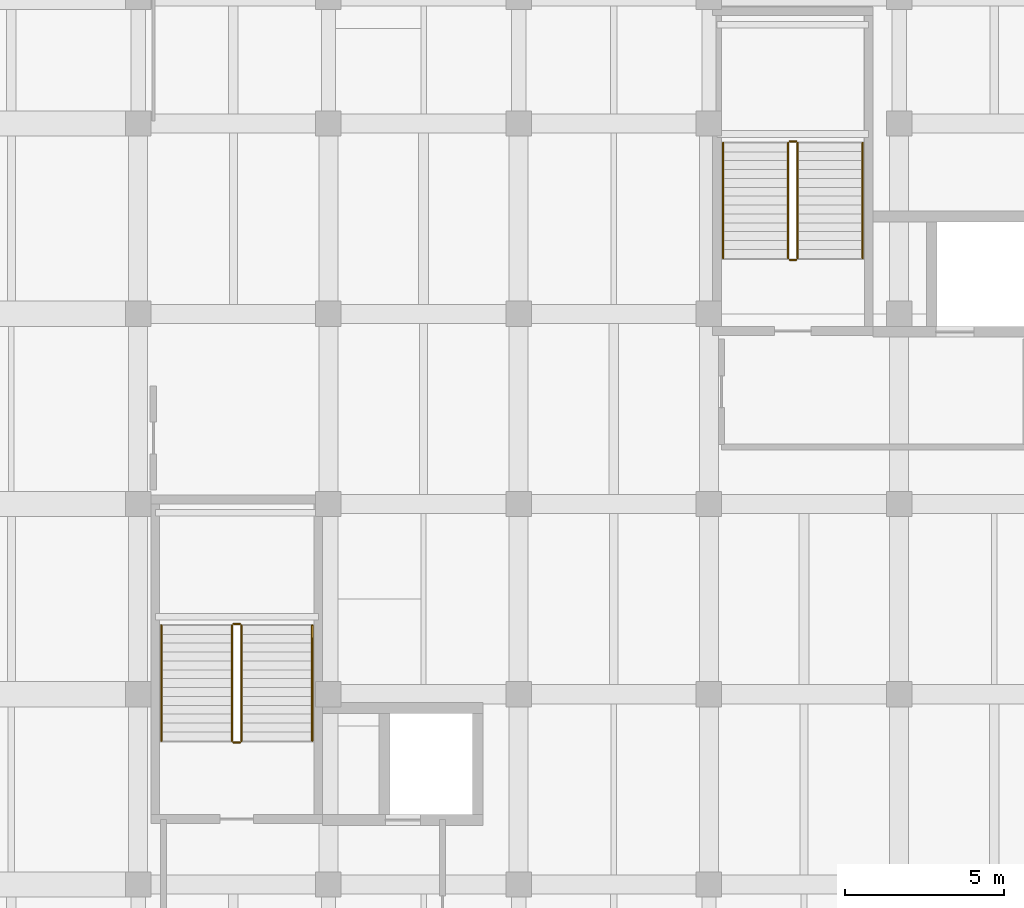
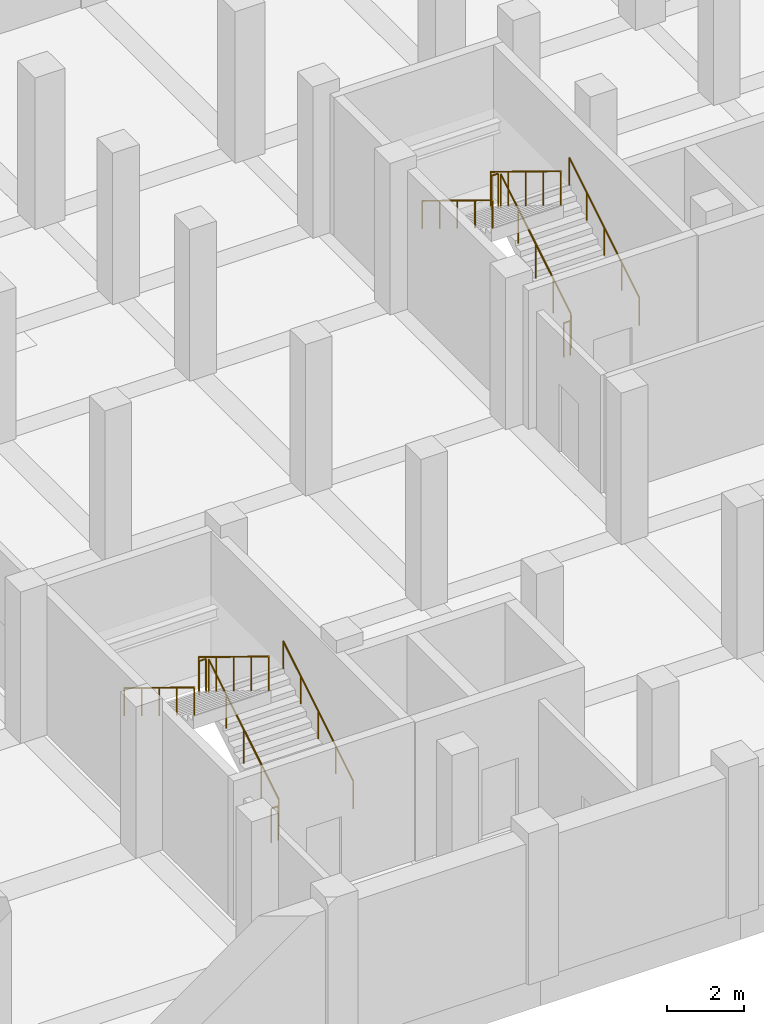
# One storey, part 36 of 36: 12 railings.
"""IFC4 building model written with IfcOpenShell, lengths in metres."""

from ifc_helpers import new_model, si_unit, direction, frame, origin, origin_2d, place, context, subcontext, project, spatial, circle, extrude, material, type_object, element, save


model = new_model("IFC4")

# Units and contexts
model_context = context("Model", 3, precision=1e-05, world=origin(), true_north=direction((0.0, 1.0)))
body_context = subcontext(model_context, "Body", "Model", "MODEL_VIEW")
ifc_project = project(units=[si_unit("LENGTHUNIT", "METRE"), si_unit("AREAUNIT", "SQUARE_METRE"), si_unit("VOLUMEUNIT", "CUBIC_METRE"), si_unit("PLANEANGLEUNIT", "RADIAN"), si_unit("MASSUNIT", "GRAM", prefix="KILO")], contexts=[model_context])

# Site, building, storey
site_placement = place(None, origin())
site = spatial("IfcSite", under=ifc_project, at=site_placement, CompositionType="ELEMENT")
building_placement = place(site_placement, origin())
building = spatial("IfcBuilding", under=site, at=building_placement, Name="Verrall Gate Interchange", CompositionType="ELEMENT")
storey_placement = place(building_placement, frame((0.0, 0.0, -4.800048828125)))
storey = spatial("IfcBuildingStorey", under=building, at=storey_placement, Name="B1", CompositionType="ELEMENT", Elevation=-4.800048828125)

# Railings
ifc_material_1 = material(Name="Brushed Stainless-Steel Guardrail and Handrail System", Category="steel")
railing_type_1 = type_object("IfcRailingType", Name="GR-02 Interior Atrium and Stair Guardrail 1100", PredefinedType="GUARDRAIL", material=ifc_material_1)
railing_1_placement = place(storey_placement, frame((135.260009765625, 20.530029296875, 0.17138671875)))
element("IfcRailing", 1, at=railing_1_placement, inside=storey, type_object=railing_type_1, Name="B1 ST-08 stair guard 1", PredefinedType="GUARDRAIL", context=body_context, shape_type="SweptSolid", body=[
    extrude(circle(Radius=0.02392578125, at=origin_2d()), frame((0.0, 0.0, 1.076171875), z_axis=(0.0, 0.852824790078, 0.522197163366), x_axis=(-1.0, 0.0, 0.0)), (0.0, 0.0, 1.0), 4.26806640625),
    extrude(circle(Radius=0.02099609375, at=origin_2d()), origin(), (0.0, 0.0, 1.0), 1.052001953125),
    extrude(circle(Radius=0.02099609375, at=origin_2d()), frame((0.0, 0.909912109375, 0.55712890625)), (0.0, 0.0, 1.0), 1.052001953125),
    extrude(circle(Radius=0.02099609375, at=origin_2d()), frame((0.0, 1.81982421875, 1.1142578125)), (0.0, 0.0, 1.0), 1.052001953125),
    extrude(circle(Radius=0.02099609375, at=origin_2d()), frame((0.0, 2.72998046875, 1.671630859375)), (0.0, 0.0, 1.0), 1.052001953125),
    extrude(circle(Radius=0.02099609375, at=origin_2d()), frame((0.0, 3.639892578125, 2.228759765625)), (0.0, 0.0, 1.0), 1.052001953125),
])
railing_2_placement = place(storey_placement, frame((135.2099609375, 24.219970703125, 2.400146484375)))
element("IfcRailing", 2, at=railing_2_placement, inside=storey, type_object=railing_type_1, Name="B1 ST-08 stair guard 2", PredefinedType="GUARDRAIL", context=body_context, shape_type="SweptSolid", body=[
    extrude(circle(Radius=0.02392578125, at=origin_2d()), frame((0.0, 0.0, 1.076171875), z_axis=(-1.0, 0.0, 0.0), x_axis=(0.0, -1.0, 0.0)), (0.0, 0.0, 1.0), 0.199951171875),
    extrude(circle(Radius=0.02099609375, at=origin_2d()), origin(), (0.0, 0.0, 1.0), 1.052001953125),
    extrude(circle(Radius=0.02099609375, at=origin_2d()), frame((-0.199951171875, 0.0, 0.0)), (0.0, 0.0, 1.0), 1.052001953125),
])
railing_3_placement = place(storey_placement, frame((134.9599609375, 24.169921875, 2.571533203125)))
element("IfcRailing", 3, at=railing_3_placement, inside=storey, type_object=railing_type_1, Name="B1 ST-08 stair guard 3", PredefinedType="GUARDRAIL", context=body_context, shape_type="SweptSolid", body=[
    extrude(circle(Radius=0.02392578125, at=origin_2d()), frame((0.0, 0.0, 1.076171875), z_axis=(0.0, -0.852850264322, 0.5221555579), x_axis=(1.0, 0.0, 0.0)), (0.0, 0.0, 1.0), 4.267822265625),
    extrude(circle(Radius=0.02099609375, at=origin_2d()), origin(), (0.0, 0.0, 1.0), 1.052001953125),
    extrude(circle(Radius=0.02099609375, at=origin_2d()), frame((0.0, -0.909912109375, 0.55712890625)), (0.0, 0.0, 1.0), 1.052001953125),
    extrude(circle(Radius=0.02099609375, at=origin_2d()), frame((0.0, -1.81982421875, 1.1142578125)), (0.0, 0.0, 1.0), 1.052001953125),
    extrude(circle(Radius=0.02099609375, at=origin_2d()), frame((0.0, -2.72998046875, 1.67138671875)), (0.0, 0.0, 1.0), 1.052001953125),
    extrude(circle(Radius=0.02099609375, at=origin_2d()), frame((0.0, -3.639892578125, 2.228515625)), (0.0, 0.0, 1.0), 1.052001953125),
])
railing_4_placement = place(storey_placement, frame((135.2099609375, 20.47998046875, 0.0)))
element("IfcRailing", 4, at=railing_4_placement, inside=storey, type_object=railing_type_1, Name="B1 ST-08 stair guard 4", PredefinedType="GUARDRAIL", context=body_context, shape_type="SweptSolid", body=[
    extrude(circle(Radius=0.02392578125, at=origin_2d()), frame((0.0, 0.0, 1.076171875), z_axis=(-1.0, 0.0, 0.0), x_axis=(0.0, -1.0, 0.0)), (0.0, 0.0, 1.0), 0.199951171875),
    extrude(circle(Radius=0.02099609375, at=origin_2d()), origin(), (0.0, 0.0, 1.0), 1.052001953125),
    extrude(circle(Radius=0.02099609375, at=origin_2d()), frame((-0.199951171875, 0.0, 0.0)), (0.0, 0.0, 1.0), 1.052001953125),
])
railing_5_placement = place(storey_placement, frame((152.800048828125, 35.75, 0.17138671875)))
element("IfcRailing", 5, at=railing_5_placement, inside=storey, type_object=railing_type_1, Name="B1 ST-09 stair guard 1", PredefinedType="GUARDRAIL", context=body_context, shape_type="SweptSolid", body=[
    extrude(circle(Radius=0.02392578125, at=origin_2d()), frame((0.0, 0.0, 1.076171875), z_axis=(0.0, 0.852824790078, 0.522197163366), x_axis=(-1.0, 0.0, 0.0)), (0.0, 0.0, 1.0), 4.26806640625),
    extrude(circle(Radius=0.02099609375, at=origin_2d()), origin(), (0.0, 0.0, 1.0), 1.052001953125),
    extrude(circle(Radius=0.02099609375, at=origin_2d()), frame((0.0, 0.909912109375, 0.55712890625)), (0.0, 0.0, 1.0), 1.052001953125),
    extrude(circle(Radius=0.02099609375, at=origin_2d()), frame((0.0, 1.81982421875, 1.1142578125)), (0.0, 0.0, 1.0), 1.052001953125),
    extrude(circle(Radius=0.02099609375, at=origin_2d()), frame((0.0, 2.72998046875, 1.671630859375)), (0.0, 0.0, 1.0), 1.052001953125),
    extrude(circle(Radius=0.02099609375, at=origin_2d()), frame((0.0, 3.639892578125, 2.228759765625)), (0.0, 0.0, 1.0), 1.052001953125),
])
railing_6_placement = place(storey_placement, frame((152.75, 39.43994140625, 2.400146484375)))
element("IfcRailing", 6, at=railing_6_placement, inside=storey, type_object=railing_type_1, Name="B1 ST-09 stair guard 2", PredefinedType="GUARDRAIL", context=body_context, shape_type="SweptSolid", body=[
    extrude(circle(Radius=0.02392578125, at=origin_2d()), frame((0.0, 0.0, 1.076171875), z_axis=(-1.0, 0.0, 0.0), x_axis=(0.0, -1.0, 0.0)), (0.0, 0.0, 1.0), 0.199951171875),
    extrude(circle(Radius=0.02099609375, at=origin_2d()), origin(), (0.0, 0.0, 1.0), 1.052001953125),
    extrude(circle(Radius=0.02099609375, at=origin_2d()), frame((-0.199951171875, 0.0, 0.0)), (0.0, 0.0, 1.0), 1.052001953125),
])
railing_7_placement = place(storey_placement, frame((152.5, 39.389892578125, 2.571533203125)))
element("IfcRailing", 7, at=railing_7_placement, inside=storey, type_object=railing_type_1, Name="B1 ST-09 stair guard 3", PredefinedType="GUARDRAIL", context=body_context, shape_type="SweptSolid", body=[
    extrude(circle(Radius=0.02392578125, at=origin_2d()), frame((0.0, 0.0, 1.076171875), z_axis=(0.0, -0.852850264322, 0.5221555579), x_axis=(1.0, 0.0, 0.0)), (0.0, 0.0, 1.0), 4.267822265625),
    extrude(circle(Radius=0.02099609375, at=origin_2d()), origin(), (0.0, 0.0, 1.0), 1.052001953125),
    extrude(circle(Radius=0.02099609375, at=origin_2d()), frame((0.0, -0.909912109375, 0.55712890625)), (0.0, 0.0, 1.0), 1.052001953125),
    extrude(circle(Radius=0.02099609375, at=origin_2d()), frame((0.0, -1.81982421875, 1.1142578125)), (0.0, 0.0, 1.0), 1.052001953125),
    extrude(circle(Radius=0.02099609375, at=origin_2d()), frame((0.0, -2.72998046875, 1.67138671875)), (0.0, 0.0, 1.0), 1.052001953125),
    extrude(circle(Radius=0.02099609375, at=origin_2d()), frame((0.0, -3.639892578125, 2.228515625)), (0.0, 0.0, 1.0), 1.052001953125),
])
railing_8_placement = place(storey_placement, frame((152.75, 35.699951171875, 0.0)))
element("IfcRailing", 8, at=railing_8_placement, inside=storey, type_object=railing_type_1, Name="B1 ST-09 stair guard 4", PredefinedType="GUARDRAIL", context=body_context, shape_type="SweptSolid", body=[
    extrude(circle(Radius=0.02392578125, at=origin_2d()), frame((0.0, 0.0, 1.076171875), z_axis=(-1.0, 0.0, 0.0), x_axis=(0.0, -1.0, 0.0)), (0.0, 0.0, 1.0), 0.199951171875),
    extrude(circle(Radius=0.02099609375, at=origin_2d()), origin(), (0.0, 0.0, 1.0), 1.052001953125),
    extrude(circle(Radius=0.02099609375, at=origin_2d()), frame((-0.199951171875, 0.0, 0.0)), (0.0, 0.0, 1.0), 1.052001953125),
])
ifc_material_2 = material(Name="Brushed Stainless-Steel Guardrail and Handrail System", Category="steel")
railing_type_2 = type_object("IfcRailingType", Name="HR-01 Stair and Ramp Pitch-Line Handrail 920", PredefinedType="HANDRAIL", material=ifc_material_2)
railing_9_placement = place(storey_placement, frame((137.489990234375, 20.530029296875, 0.17138671875)))
element("IfcRailing", 9, at=railing_9_placement, inside=storey, type_object=railing_type_2, Name="B1 ST-08 stair handrail 1", PredefinedType="HANDRAIL", context=body_context, shape_type="SweptSolid", body=[
    extrude(circle(Radius=0.02392578125, at=origin_2d()), frame((0.0, 0.0, 0.8759765625), z_axis=(0.0, 0.852824790078, 0.522197163366), x_axis=(-1.0, 0.0, 0.0)), (0.0, 0.0, 1.0), 4.26806640625),
    extrude(circle(Radius=0.02099609375, at=origin_2d()), origin(), (0.0, 0.0, 1.0), 0.851806640625),
    extrude(circle(Radius=0.02099609375, at=origin_2d()), frame((0.0, 0.909912109375, 0.55712890625)), (0.0, 0.0, 1.0), 0.851806640625),
    extrude(circle(Radius=0.02099609375, at=origin_2d()), frame((0.0, 1.81982421875, 1.1142578125)), (0.0, 0.0, 1.0), 0.851806640625),
    extrude(circle(Radius=0.02099609375, at=origin_2d()), frame((0.0, 2.72998046875, 1.671630859375)), (0.0, 0.0, 1.0), 0.851806640625),
    extrude(circle(Radius=0.02099609375, at=origin_2d()), frame((0.0, 3.639892578125, 2.228759765625)), (0.0, 0.0, 1.0), 0.851806640625),
])
railing_10_placement = place(storey_placement, frame((132.72998046875, 24.169921875, 2.571533203125)))
element("IfcRailing", 10, at=railing_10_placement, inside=storey, type_object=railing_type_2, Name="B1 ST-08 stair handrail 2", PredefinedType="HANDRAIL", context=body_context, shape_type="SweptSolid", body=[
    extrude(circle(Radius=0.02392578125, at=origin_2d()), frame((0.0, 0.0, 0.8759765625), z_axis=(0.0, -0.852850264322, 0.5221555579), x_axis=(1.0, 0.0, 0.0)), (0.0, 0.0, 1.0), 4.267822265625),
    extrude(circle(Radius=0.02099609375, at=origin_2d()), origin(), (0.0, 0.0, 1.0), 0.851806640625),
    extrude(circle(Radius=0.02099609375, at=origin_2d()), frame((0.0, -0.909912109375, 0.55712890625)), (0.0, 0.0, 1.0), 0.851806640625),
    extrude(circle(Radius=0.02099609375, at=origin_2d()), frame((0.0, -1.81982421875, 1.1142578125)), (0.0, 0.0, 1.0), 0.851806640625),
    extrude(circle(Radius=0.02099609375, at=origin_2d()), frame((0.0, -2.72998046875, 1.67138671875)), (0.0, 0.0, 1.0), 0.851806640625),
    extrude(circle(Radius=0.02099609375, at=origin_2d()), frame((0.0, -3.639892578125, 2.228515625)), (0.0, 0.0, 1.0), 0.851806640625),
])
railing_11_placement = place(storey_placement, frame((154.85009765625, 35.75, 0.17138671875)))
element("IfcRailing", 11, at=railing_11_placement, inside=storey, type_object=railing_type_2, Name="B1 ST-09 stair handrail 1", PredefinedType="HANDRAIL", context=body_context, shape_type="SweptSolid", body=[
    extrude(circle(Radius=0.02392578125, at=origin_2d()), frame((0.0, 0.0, 0.8759765625), z_axis=(0.0, 0.852824790078, 0.522197163366), x_axis=(-1.0, 0.0, 0.0)), (0.0, 0.0, 1.0), 4.26806640625),
    extrude(circle(Radius=0.02099609375, at=origin_2d()), origin(), (0.0, 0.0, 1.0), 0.851806640625),
    extrude(circle(Radius=0.02099609375, at=origin_2d()), frame((0.0, 0.909912109375, 0.55712890625)), (0.0, 0.0, 1.0), 0.851806640625),
    extrude(circle(Radius=0.02099609375, at=origin_2d()), frame((0.0, 1.81982421875, 1.1142578125)), (0.0, 0.0, 1.0), 0.851806640625),
    extrude(circle(Radius=0.02099609375, at=origin_2d()), frame((0.0, 2.72998046875, 1.671630859375)), (0.0, 0.0, 1.0), 0.851806640625),
    extrude(circle(Radius=0.02099609375, at=origin_2d()), frame((0.0, 3.639892578125, 2.228759765625)), (0.0, 0.0, 1.0), 0.851806640625),
])
railing_12_placement = place(storey_placement, frame((150.449951171875, 39.389892578125, 2.571533203125)))
element("IfcRailing", 12, at=railing_12_placement, inside=storey, type_object=railing_type_2, Name="B1 ST-09 stair handrail 2", PredefinedType="HANDRAIL", context=body_context, shape_type="SweptSolid", body=[
    extrude(circle(Radius=0.02392578125, at=origin_2d()), frame((0.0, 0.0, 0.8759765625), z_axis=(0.0, -0.852850264322, 0.5221555579), x_axis=(1.0, 0.0, 0.0)), (0.0, 0.0, 1.0), 4.267822265625),
    extrude(circle(Radius=0.02099609375, at=origin_2d()), origin(), (0.0, 0.0, 1.0), 0.851806640625),
    extrude(circle(Radius=0.02099609375, at=origin_2d()), frame((0.0, -0.909912109375, 0.55712890625)), (0.0, 0.0, 1.0), 0.851806640625),
    extrude(circle(Radius=0.02099609375, at=origin_2d()), frame((0.0, -1.81982421875, 1.1142578125)), (0.0, 0.0, 1.0), 0.851806640625),
    extrude(circle(Radius=0.02099609375, at=origin_2d()), frame((0.0, -2.72998046875, 1.67138671875)), (0.0, 0.0, 1.0), 0.851806640625),
    extrude(circle(Radius=0.02099609375, at=origin_2d()), frame((0.0, -3.639892578125, 2.228515625)), (0.0, 0.0, 1.0), 0.851806640625),
])

save(model, "model.ifc")
